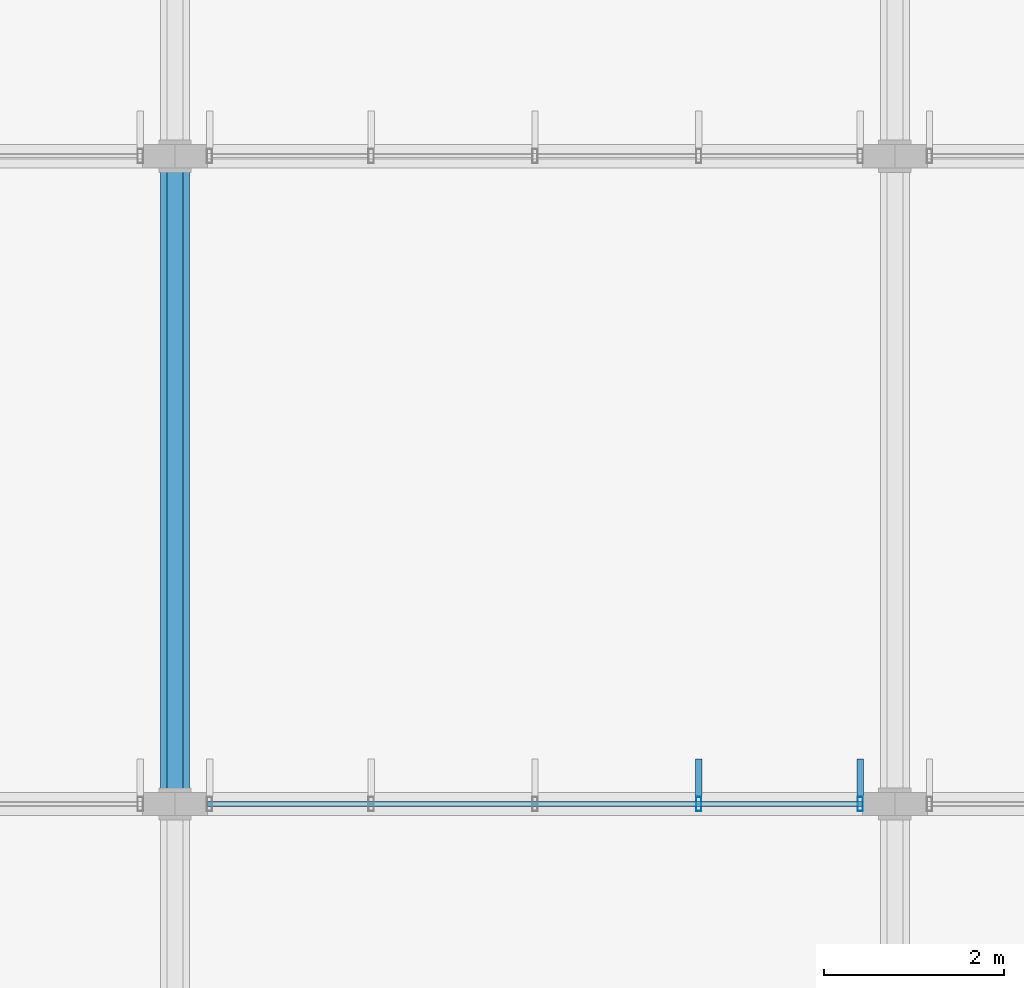
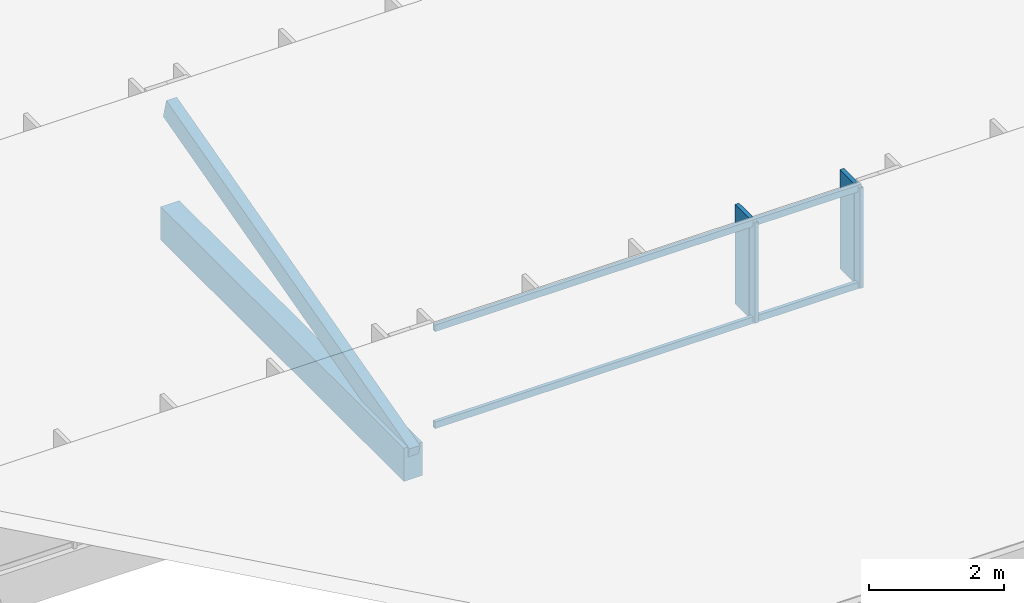
# One storey, part 8 of 94: 8 members, 1 element without a shape of its own.
"""IFC4 building model written with IfcOpenShell, lengths in metres."""

from ifc_helpers import new_model, si_unit, direction, frame, origin, origin_2d, place, context, subcontext, project, spatial, rectangle, hollow_rectangle, extrude, material, material_profile, profile_set, type_object, element, aggregate, save


model = new_model("IFC4")

# Units and contexts
model_context = context("Model", 3, precision=1e-05, world=origin(), true_north=direction((0.0, 1.0)))
body_context = subcontext(model_context, "Body", "Model", "MODEL_VIEW")
ifc_project = project(units=[si_unit("LENGTHUNIT", "METRE"), si_unit("AREAUNIT", "SQUARE_METRE"), si_unit("VOLUMEUNIT", "CUBIC_METRE"), si_unit("PLANEANGLEUNIT", "RADIAN"), si_unit("MASSUNIT", "GRAM", prefix="KILO")], contexts=[model_context])

# Site, building, storey
site_placement = place(None, origin())
site = spatial("IfcSite", under=ifc_project, at=site_placement, CompositionType="ELEMENT")
building_placement = place(site_placement, origin())
building = spatial("IfcBuilding", under=site, at=building_placement, Name="Chiffa Square Polytechnic", CompositionType="ELEMENT")
storey_placement = place(building_placement, frame((0.0, 0.0, 18.0)))
storey = spatial("IfcBuildingStorey", under=building, at=storey_placement, Name="L04", CompositionType="ELEMENT", Elevation=18.0)

# Curtain wall, members
ifc_material_1 = material(Name="Aluminium EN AW-6060 T66 and glulam shading", Category="wood")
curtain_wall_type = type_object("IfcCurtainWallType", Name="CW-VERT-300X380", PredefinedType="USERDEFINED", material=ifc_material_1)
curtain_wall_placement = place(storey_placement, origin())
curtain_wall = element("IfcCurtainWall", 1, at=curtain_wall_placement, inside=storey, type_object=curtain_wall_type, Name="Curtain wall CW-V6-SAW1-2", ObjectType="CURTAIN WALL", PredefinedType="USERDEFINED")
ifc_material_2 = material(Name="Aluminium EN AW-6060 T66", Category="aluminium")
ifc_material_profile_1 = material_profile(ifc_material_2, hollow_rectangle(XDim=0.06005859375, YDim=0.159912109375, WallThickness=0.00390625, at=origin_2d()), Name="ALU 60x160x4")
ifc_profile_set_1 = profile_set([ifc_material_profile_1], Name="Aluminium EN AW-6060 T66")
member_type_1 = type_object("IfcMemberType", Name="CWM-ALU-65X150", PredefinedType="MULLION", material=ifc_profile_set_1)
member_1_placement = place(storey_placement, frame((15.614990234375, 43.800048828125, 0.699951171875), z_axis=(0.0, 0.0, 1.0), x_axis=(1.0, 0.0, 0.0)))
member_1 = element("IfcMember", 2, at=member_1_placement, type_object=member_type_1, Name="Curtain wall mullion CW-V6-SAW1-2-M00", PredefinedType="MULLION", context=body_context, shape_type="SweptSolid", body=[
    extrude(hollow_rectangle(XDim=0.06005859375, YDim=0.159912109375, WallThickness=0.00390625, at=origin_2d()), origin(), (0.0, 0.0, 1.0), 1.81201171875),
])
member_2_placement = place(storey_placement, frame((13.820068359375, 43.800048828125, 0.699951171875), z_axis=(0.0, 0.0, 1.0), x_axis=(1.0, 0.0, 0.0)))
member_2 = element("IfcMember", 3, at=member_2_placement, type_object=member_type_1, Name="Curtain wall mullion CW-V6-SAW1-2-M01", PredefinedType="MULLION", context=body_context, shape_type="SweptSolid", body=[
    extrude(hollow_rectangle(XDim=0.06005859375, YDim=0.159912109375, WallThickness=0.00390625, at=origin_2d()), origin(), (0.0, 0.0, 1.0), 1.81201171875),
])
ifc_material_3 = material(Name="Glulam GL28h", Category="wood")
ifc_material_profile_2 = material_profile(ifc_material_3, rectangle(XDim=0.070068359375, YDim=0.419921875, at=origin_2d()), Name="GL28h 70x420")
ifc_profile_set_2 = profile_set([ifc_material_profile_2], Name="Glulam GL28h")
member_type_2 = type_object("IfcMemberType", Name="CWM-GL-70X420", PredefinedType="MULLION", material=ifc_profile_set_2)
member_3_placement = place(storey_placement, frame((15.614990234375, 44.092041015625, 0.7099609375), z_axis=(0.0, 0.0, 1.0), x_axis=(-1.0, 0.0, 0.0)))
member_3 = element("IfcMember", 4, at=member_3_placement, type_object=member_type_2, Name="Exterior glulam solar fin CW-V6-SAW1-2-FN00", PredefinedType="MULLION", context=body_context, shape_type="SweptSolid", body=[
    extrude(rectangle(XDim=0.070068359375, YDim=0.419921875, at=origin_2d()), origin(), (0.0, 0.0, 1.0), 1.7919921875),
])
member_4_placement = place(storey_placement, frame((13.820068359375, 44.092041015625, 0.7099609375), z_axis=(0.0, 0.0, 1.0), x_axis=(-1.0, 0.0, 0.0)))
member_4 = element("IfcMember", 5, at=member_4_placement, type_object=member_type_2, Name="Exterior glulam solar fin CW-V6-SAW1-2-FN01", PredefinedType="MULLION", context=body_context, shape_type="SweptSolid", body=[
    extrude(rectangle(XDim=0.070068359375, YDim=0.419921875, at=origin_2d()), origin(), (0.0, 0.0, 1.0), 1.7919921875),
])
ifc_material_profile_3 = material_profile(ifc_material_2, hollow_rectangle(XDim=0.06005859375, YDim=0.1201171875, WallThickness=0.00390625, at=origin_2d()), Name="ALU 60x120x4")
ifc_profile_set_3 = profile_set([ifc_material_profile_3], Name="Aluminium EN AW-6060 T66")
member_type_3 = type_object("IfcMemberType", Name="CWT-ALU-65X120", PredefinedType="USERDEFINED", material=ifc_profile_set_3)
member_5_placement = place(storey_placement, frame((15.64208984375, 43.800048828125, 0.72998046875), z_axis=(-1.0, 0.0, 0.0), x_axis=(0.0, -1.0, 0.0)))
member_5 = element("IfcMember", 6, at=member_5_placement, type_object=member_type_3, Name="Curtain wall transom CW-V6-SAW1-2-T01", ObjectType="TRANSOM", PredefinedType="USERDEFINED", context=body_context, shape_type="SweptSolid", body=[
    extrude(hollow_rectangle(XDim=0.06005859375, YDim=0.1201171875, WallThickness=0.00390625, at=origin_2d()), origin(), (0.0, 0.0, 1.0), 7.2841796875),
])
member_6_placement = place(storey_placement, frame((15.64208984375, 43.800048828125, 2.48193359375), z_axis=(-1.0, 0.0, 0.0), x_axis=(0.0, -1.0, 0.0)))
member_6 = element("IfcMember", 7, at=member_6_placement, type_object=member_type_3, Name="Curtain wall transom CW-V6-SAW1-2-T02", ObjectType="TRANSOM", PredefinedType="USERDEFINED", context=body_context, shape_type="SweptSolid", body=[
    extrude(hollow_rectangle(XDim=0.06005859375, YDim=0.1201171875, WallThickness=0.00390625, at=origin_2d()), origin(), (0.0, 0.0, 1.0), 7.2841796875),
])
aggregate(curtain_wall, [member_1, member_3, member_2, member_4, member_5, member_6])

# Members
ifc_material_4 = material(Name="Glulam GL32c", Category="wood")
ifc_material_profile_4 = material_profile(ifc_material_4, rectangle(XDim=0.320068359375, YDim=0.60009765625, at=origin_2d()), Name="GL32c 320x600")
ifc_profile_set_4 = profile_set([ifc_material_profile_4], Name="Glulam GL32c")
member_type_4 = type_object("IfcMemberType", Name="MEM-CHORD-GL320", PredefinedType="CHORD", material=ifc_profile_set_4)
member_7_placement = place(storey_placement, frame((8.0, 43.800048828125, 0.179931640625), z_axis=(0.0, 1.0, 0.0), x_axis=(-1.0, 0.0, 0.0)))
element("IfcMember", 8, at=member_7_placement, inside=storey, type_object=member_type_4, Name="Studio sawtooth tie chord TCB-V6-SAW-007", PredefinedType="CHORD", context=body_context, shape_type="SweptSolid", body=[
    extrude(rectangle(XDim=0.320068359375, YDim=0.60009765625, at=origin_2d()), origin(), (0.0, 0.0, 1.0), 7.199951171875),
])
ifc_material_profile_5 = material_profile(ifc_material_3, rectangle(XDim=0.179931640625, YDim=0.360107421875, at=origin_2d()), Name="GL28h 180x360")
ifc_profile_set_5 = profile_set([ifc_material_profile_5], Name="Glulam GL28h")
member_type_5 = type_object("IfcMemberType", Name="MEM-RFT-GL180", PredefinedType="RAFTER", material=ifc_profile_set_5)
member_8_placement = place(storey_placement, frame((8.0, 43.800048828125, 0.300048828125), z_axis=(0.0, 0.965934748059, 0.258785746309), x_axis=(-1.0, 0.0, 0.0)))
element("IfcMember", 9, at=member_8_placement, inside=storey, type_object=member_type_5, Name="Studio sawtooth glulam rafter RF-V6-L04-007", PredefinedType="RAFTER", context=body_context, shape_type="SweptSolid", body=[
    extrude(rectangle(XDim=0.179931640625, YDim=0.360107421875, at=origin_2d()), origin(), (0.0, 0.0, 1.0), 7.453857421875),
])

save(model, "model.ifc")
